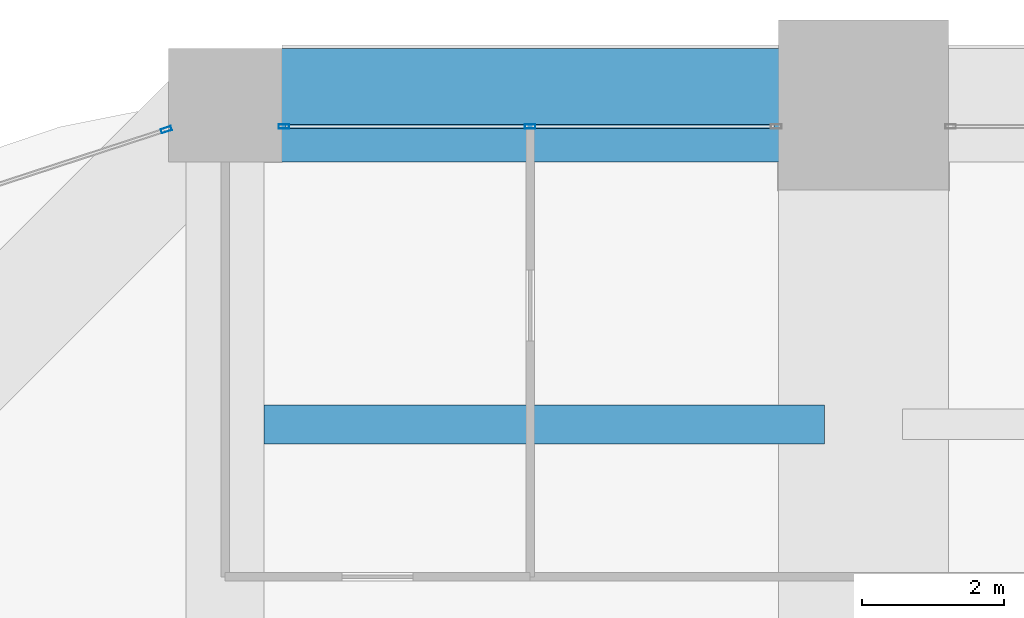
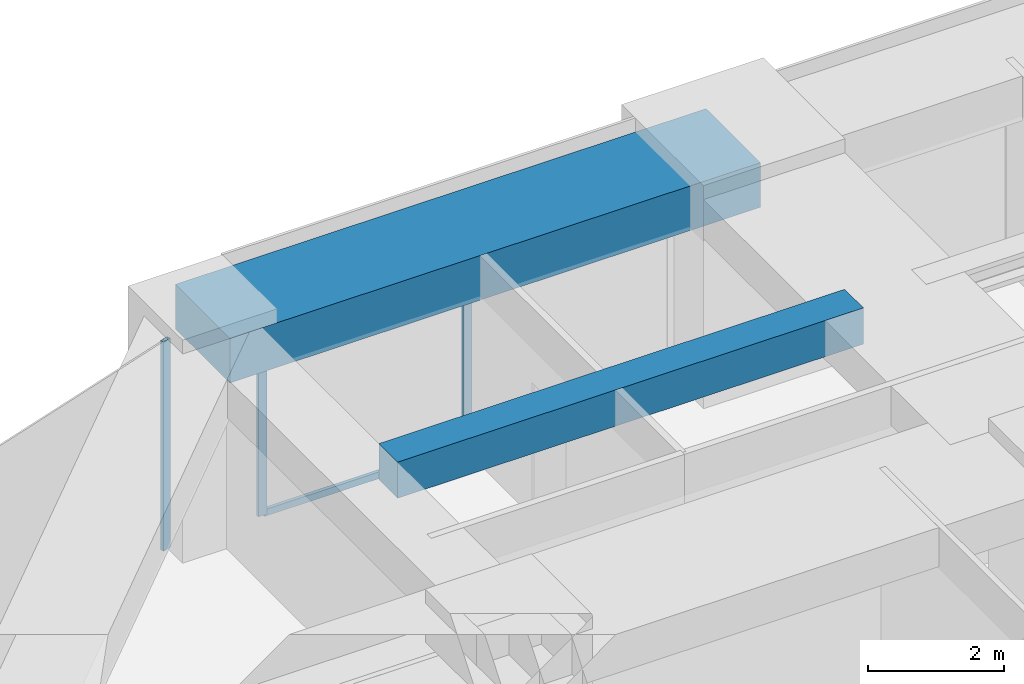
# One storey, part 27 of 42: 4 members, 2 beams, 2 elements without a shape of their own.
"""IFC4 building model written with IfcOpenShell, lengths in metres."""

from ifc_helpers import new_model, si_unit, direction, frame, origin, origin_2d, place, context, subcontext, project, spatial, rectangle, hollow_rectangle, extrude, material, material_profile, profile_set, type_object, element, aggregate, save


model = new_model("IFC4")

# Units and contexts
model_context = context("Model", 3, precision=1e-05, world=origin(), true_north=direction((0.0, 1.0)))
body_context = subcontext(model_context, "Body", "Model", "MODEL_VIEW")
ifc_project = project(units=[si_unit("LENGTHUNIT", "METRE"), si_unit("AREAUNIT", "SQUARE_METRE"), si_unit("VOLUMEUNIT", "CUBIC_METRE"), si_unit("PLANEANGLEUNIT", "RADIAN"), si_unit("MASSUNIT", "GRAM", prefix="KILO")], contexts=[model_context])

# Site, building, storey
site_placement = place(None, origin())
site = spatial("IfcSite", under=ifc_project, at=site_placement, CompositionType="ELEMENT")
building_placement = place(site_placement, origin())
building = spatial("IfcBuilding", under=site, at=building_placement, Name="Zorevar Civic Tower", CompositionType="ELEMENT")
storey_placement = place(building_placement, frame((0.0, 0.0, 149.0)))
storey = spatial("IfcBuildingStorey", under=building, at=storey_placement, Name="L36", CompositionType="ELEMENT", Elevation=149.0)

# Beam
ifc_material_1 = material(Name="Concrete C50/60", Category="concrete")
ifc_material_profile_1 = material_profile(ifc_material_1, rectangle(XDim=0.550048828125, YDim=0.64990234375, at=origin_2d()), Name="RC 550x650")
ifc_profile_set_1 = profile_set([ifc_material_profile_1], Name="Concrete C50/60")
beam_type_1 = type_object("IfcBeamType", Name="Beam RC 550x650", PredefinedType="BEAM", material=ifc_profile_set_1)
beam_1_placement = place(storey_placement, frame((9.550048828125, 40.5, 3.425048828125), z_axis=(1.0, 0.0, 0.0), x_axis=(0.0, 1.0, 0.0)))
element("IfcBeam", 1, at=beam_1_placement, inside=storey, type_object=beam_type_1, Name="Secondary beam L37", PredefinedType="BEAM", context=body_context, shape_type="SweptSolid", body=[
    extrude(rectangle(XDim=0.550048828125, YDim=0.64990234375, at=origin_2d()), origin(), (0.0, 0.0, 1.0), 7.89990234375),
])

# Curtain wall, members
ifc_material_2 = material(Name="Dark grey solar-control glass in black aluminium frame", Category="aluminium")
curtain_wall_type = type_object("IfcCurtainWallType", Name="Curtain wall CW3 mid zone", PredefinedType="NOTDEFINED", material=ifc_material_2)
curtain_wall_1_placement = place(storey_placement, origin())
curtain_wall_1 = element("IfcCurtainWall", 2, at=curtain_wall_1_placement, inside=storey, type_object=curtain_wall_type, Name="CW3 L36", PredefinedType="NOTDEFINED")
ifc_material_3 = material(Name="Aluminium, black anodised", Category="aluminium")
ifc_material_profile_2 = material_profile(ifc_material_3, hollow_rectangle(XDim=0.06005859375, YDim=0.14990234375, WallThickness=0.00390625, at=origin_2d()), Name="AL 150x60x4")
ifc_profile_set_2 = profile_set([ifc_material_profile_2], Name="Aluminium, black anodised")
member_type_1 = type_object("IfcMemberType", Name="CW3 mullion AL 150x60x4", PredefinedType="MULLION", material=ifc_profile_set_2)
member_1_placement = place(storey_placement, frame((9.830078125, 44.699951171875, 0.0), z_axis=(0.0, 0.0, 1.0), x_axis=(0.0, 1.0, 0.0)))
member_1 = element("IfcMember", 3, at=member_1_placement, type_object=member_type_1, Name="CW3 mullion 1", PredefinedType="MULLION", context=body_context, shape_type="SweptSolid", body=[
    extrude(hollow_rectangle(XDim=0.06005859375, YDim=0.14990234375, WallThickness=0.00390625, at=origin_2d()), origin(), (0.0, 0.0, 1.0), 2.949951171875),
])
member_2_placement = place(storey_placement, frame((13.300048828125, 44.699951171875, 0.06005859375), z_axis=(0.0, 0.0, 1.0), x_axis=(0.0, 1.0, 0.0)))
member_2 = element("IfcMember", 4, at=member_2_placement, type_object=member_type_1, Name="CW3 mullion 2", PredefinedType="MULLION", context=body_context, shape_type="SweptSolid", body=[
    extrude(hollow_rectangle(XDim=0.06005859375, YDim=0.14990234375, WallThickness=0.00390625, at=origin_2d()), origin(), (0.0, 0.0, 1.0), 2.889892578125),
])

# Curtain wall, member
curtain_wall_2_placement = place(storey_placement, origin())
curtain_wall_2 = element("IfcCurtainWall", 5, at=curtain_wall_2_placement, inside=storey, type_object=curtain_wall_type, Name="CW3 L36", PredefinedType="NOTDEFINED")
member_3_placement = place(storey_placement, frame((8.17138671875, 44.65380859375, 0.0), z_axis=(0.0, 0.0, 1.0), x_axis=(0.310263169163, -0.950650706548, 0.0)))
member_3 = element("IfcMember", 6, at=member_3_placement, type_object=member_type_1, Name="CW3 mullion 1", PredefinedType="MULLION", context=body_context, shape_type="SweptSolid", body=[
    extrude(hollow_rectangle(XDim=0.06005859375, YDim=0.14990234375, WallThickness=0.00390625, at=origin_2d()), origin(), (0.0, 0.0, 1.0), 3.75),
])
aggregate(curtain_wall_2, [member_3])

# Member
ifc_material_4 = material(Name="Aluminium, black anodised", Category="aluminium")
ifc_material_profile_3 = material_profile(ifc_material_4, hollow_rectangle(XDim=0.06005859375, YDim=0.1201171875, WallThickness=0.0029296875, at=origin_2d()), Name="AL 120x60x3")
ifc_profile_set_3 = profile_set([ifc_material_profile_3], Name="Aluminium, black anodised")
member_type_2 = type_object("IfcMemberType", Name="CW3 transom AL 120x60x3", PredefinedType="USERDEFINED", material=ifc_profile_set_3)
member_4_placement = place(storey_placement, frame((9.860107421875, 44.699951171875, 0.030029296875), z_axis=(1.0, 0.0, 0.0), x_axis=(0.0, 1.0, 0.0)))
member_4 = element("IfcMember", 7, at=member_4_placement, type_object=member_type_2, Name="CW3 sill transom", ObjectType="TRANSOM", PredefinedType="USERDEFINED", context=body_context, shape_type="SweptSolid", body=[
    extrude(hollow_rectangle(XDim=0.06005859375, YDim=0.1201171875, WallThickness=0.0029296875, at=origin_2d()), origin(), (0.0, 0.0, 1.0), 6.8798828125),
])

aggregate(curtain_wall_1, [member_1, member_2, member_4])

# Beam
ifc_material_5 = material(Name="Concrete C50/60", Category="concrete")
ifc_material_profile_4 = material_profile(ifc_material_5, rectangle(XDim=1.60009765625, YDim=0.800048828125, at=origin_2d()), Name="RC 1600x800")
ifc_profile_set_4 = profile_set([ifc_material_profile_4], Name="Concrete C50/60")
beam_type_2 = type_object("IfcBeamType", Name="Edge beam RC 1600x800", PredefinedType="SPANDREL", material=ifc_profile_set_4)
beam_2_placement = place(storey_placement, frame((9.0, 45.0, 3.35009765625), z_axis=(1.0, 0.0, 0.0), x_axis=(0.0, 1.0, 0.0)))
element("IfcBeam", 8, at=beam_2_placement, inside=storey, type_object=beam_type_2, Name="Edge beam L37", PredefinedType="SPANDREL", context=body_context, shape_type="SweptSolid", body=[
    extrude(rectangle(XDim=1.60009765625, YDim=0.800048828125, at=origin_2d()), origin(), (0.0, 0.0, 1.0), 9.0),
])

save(model, "model.ifc")
